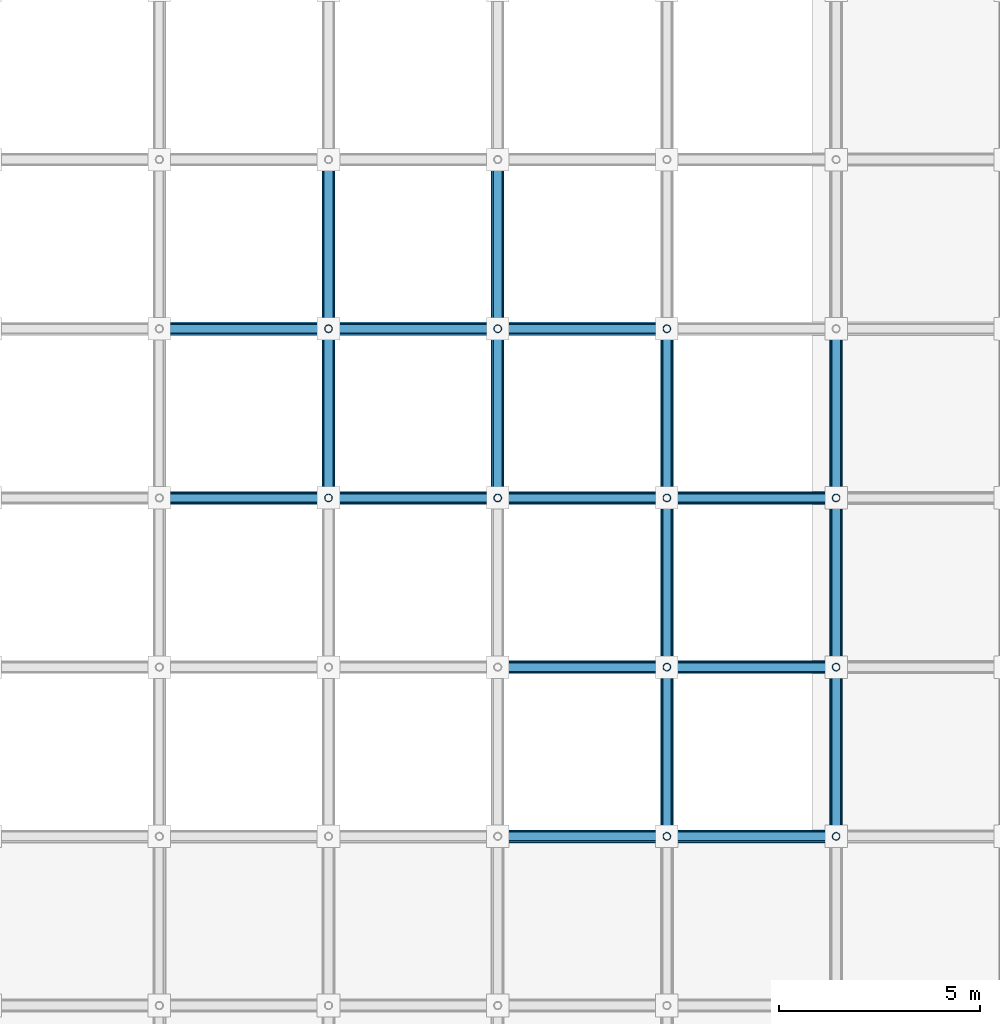
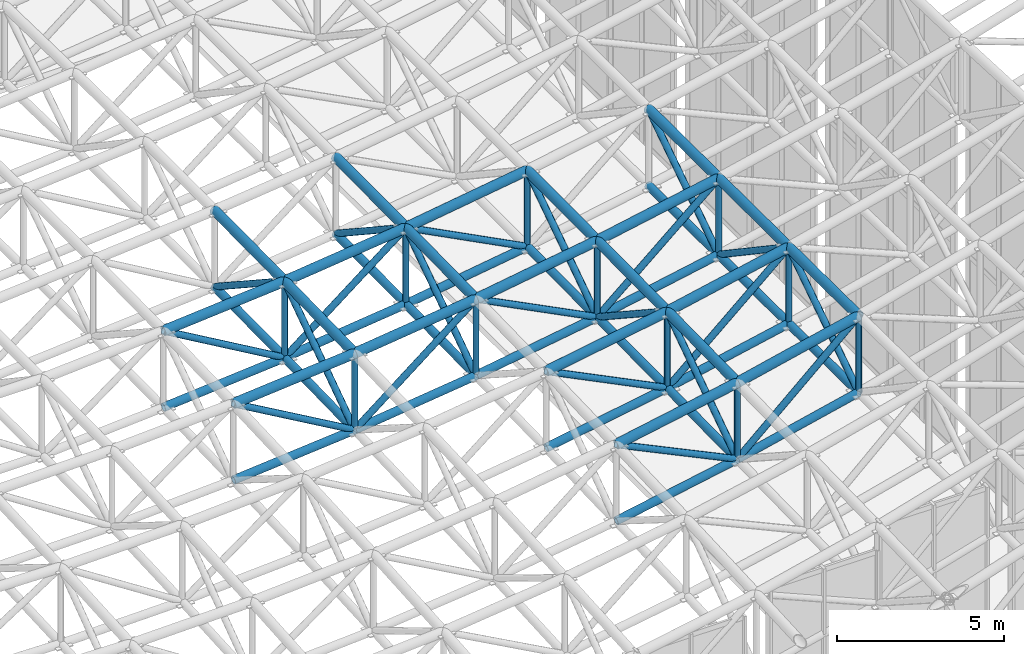
# One storey, part 20 of 93: 74 members.
"""IFC4 building model written with IfcOpenShell, lengths in metres."""

import ifcopenshell
import ifcopenshell.guid

model = None  # the IFC model being written
_history = None  # IfcOwnerHistory: only IFC2X3 demands one
_inside = {}  # id of a spatial element -> (the spatial element, [elements in it])
_under = {}  # id of a project, library or spatial element -> (it, [spatial elements below it])
_declared = {}  # id of a project -> (the project, [libraries it declares])
_typed = {}  # id of a type object -> (the type object, [elements of that type])
_made_of = {}  # id of a material, layer set ... -> (it, [elements and type objects made of it])


def new_model(schema):
    """Start an empty IFC model of exactly this schema.

    Asked for "IFC4X3", IfcOpenShell would pick the latest addendum, in which some entities
    have other attributes; the version numbers below select the first issue.
    IFC2X3 requires an IfcOwnerHistory on every rooted entity: one is made here for all.
    """
    global model, _history
    if schema == "IFC4X3":
        model = ifcopenshell.file(schema_version=(4, 3, 0, 0))
    else:
        model = ifcopenshell.file(schema=schema)
    _inside.clear()
    _under.clear()
    _declared.clear()
    _typed.clear()
    _made_of.clear()
    _history = None
    if model.schema == "IFC2X3":
        org = make("IfcOrganization", Name="unknown")
        user = make(
            "IfcPersonAndOrganization",
            ThePerson=make("IfcPerson", FamilyName="unknown"),
            TheOrganization=org,
        )
        app = make(
            "IfcApplication",
            ApplicationDeveloper=org,
            Version="unknown",
            ApplicationFullName="unknown",
            ApplicationIdentifier="unknown",
        )
        _history = make(
            "IfcOwnerHistory",
            OwningUser=user,
            OwningApplication=app,
            ChangeAction="ADDED",
            CreationDate=0,
        )
    return model


def make(cls, **values):
    """One entity of the class cls with the attributes given. An attribute that is None is left unset."""
    return model.create_entity(
        cls, **{name: value for name, value in values.items() if value is not None}
    )


def rooted(cls, **values):
    """An entity with a GlobalId (a new one), such as an element, a storey or a relation."""
    return make(cls, GlobalId=ifcopenshell.guid.new(), OwnerHistory=_history, **values)


def si_unit(unit_type, name, prefix=None):
    """IfcSIUnit, for example si_unit("LENGTHUNIT", "METRE", prefix="MILLI")."""
    return make("IfcSIUnit", UnitType=unit_type, Prefix=prefix, Name=name)


def assignment(units):
    """IfcUnitAssignment: the units of a project."""
    return None if units is None else make("IfcUnitAssignment", Units=units)


def point(xyz):
    """IfcCartesianPoint."""
    return None if xyz is None else make("IfcCartesianPoint", Coordinates=xyz)


def direction(xyz):
    """IfcDirection."""
    return None if xyz is None else make("IfcDirection", DirectionRatios=xyz)


def frame(location, z_axis=None, x_axis=None):
    """IfcAxis2Placement3D, a coordinate frame: its origin and axes. An axis left out is left unset."""
    return make(
        "IfcAxis2Placement3D",
        Location=point(location),
        Axis=direction(z_axis),
        RefDirection=direction(x_axis),
    )


def frame_2d(location, x_axis=None):
    """IfcAxis2Placement2D, a coordinate frame in the plane: its origin and x axis."""
    return make(
        "IfcAxis2Placement2D", Location=point(location), RefDirection=direction(x_axis)
    )


def origin():
    """The frame at (0, 0, 0) with its axes left unset."""
    return frame((0.0, 0.0, 0.0))


def origin_2d():
    """The frame at (0, 0) in the plane with its x axis left unset."""
    return frame_2d((0.0, 0.0))


def place(relative_to, where):
    """IfcLocalPlacement: puts the frame where relative to a parent placement (None: the world)."""
    return make(
        "IfcLocalPlacement", PlacementRelTo=relative_to, RelativePlacement=where
    )


def context(
    kind, dimensions, precision=None, world=None, true_north=None, identifier=None
):
    """IfcGeometricRepresentationContext, for example the 3D "Model" context."""
    return make(
        "IfcGeometricRepresentationContext",
        ContextIdentifier=identifier,
        ContextType=kind,
        CoordinateSpaceDimension=dimensions,
        Precision=precision,
        WorldCoordinateSystem=world,
        TrueNorth=true_north,
    )


def subcontext(parent, identifier, kind, view, scale=None):
    """IfcGeometricRepresentationSubContext, for example "Body" below "Model"."""
    return make(
        "IfcGeometricRepresentationSubContext",
        ContextIdentifier=identifier,
        ContextType=kind,
        ParentContext=parent,
        TargetScale=scale,
        TargetView=view,
    )


def project(units=None, contexts=None):
    """IfcProject with its units and contexts."""
    return rooted(
        "IfcProject",
        Name="project",
        RepresentationContexts=contexts,
        UnitsInContext=assignment(units),
    )


def spatial(cls, under=None, at=None, **own):
    """A site, building, storey or space (cls), placed at a placement, below another one or the project."""
    s = rooted(cls, ObjectPlacement=at, **own)
    if under is not None:
        _under.setdefault(under.id(), (under, []))[1].append(s)
    return s


def profile(cls, at=None, kind="AREA", **sizes):
    """A parametric profile (cls). Its sizes go by their IFC names, for example OverallWidth=200.0."""
    return make(cls, ProfileType=kind, Position=at, **sizes)


def hollow_circle(**sizes):
    """IfcCircleHollowProfileDef."""
    return profile("IfcCircleHollowProfileDef", **sizes)


def extrude(swept, where, along, depth):
    """IfcExtrudedAreaSolid: the profile swept, set in the frame where, extruded along a direction by depth."""
    return make(
        "IfcExtrudedAreaSolid",
        SweptArea=swept,
        Position=where,
        ExtrudedDirection=direction(along),
        Depth=depth,
    )


def shape(context_of_items, identifier, shape_type, items):
    """IfcShapeRepresentation: the items that make up one representation, for example the "Body"."""
    return make(
        "IfcShapeRepresentation",
        ContextOfItems=context_of_items,
        RepresentationIdentifier=identifier,
        RepresentationType=shape_type,
        Items=items,
    )


def material(Name=None, Category=None):
    """IfcMaterial."""
    return make("IfcMaterial", Name=Name, Category=Category)


def material_profile(
    of_material, cross_section, Name=None, Category=None, Priority=None
):
    """IfcMaterialProfile: a cross section and its material."""
    return make(
        "IfcMaterialProfile",
        Name=Name,
        Material=of_material,
        Profile=cross_section,
        Priority=Priority,
        Category=Category,
    )


def profile_set(profiles, Name=None, composite=None):
    """IfcMaterialProfileSet."""
    return make(
        "IfcMaterialProfileSet",
        Name=Name,
        MaterialProfiles=profiles,
        CompositeProfile=composite,
    )


def made_of(thing, what):
    """Note that an element or type object is made of a material, layer set ...; save() writes the relation."""
    if what is not None:
        _made_of.setdefault(what.id(), (what, []))[1].append(thing)
    return thing


def type_object(cls, material=None, **own):
    """A type object (cls), such as IfcWallType, which elements share."""
    return made_of(rooted(cls, **own), material)


def element(
    cls,
    number,
    at=None,
    inside=None,
    cuts=None,
    type_object=None,
    material=None,
    context=None,
    identifier="Body",
    shape_type=None,
    held_by="IfcProductDefinitionShape",
    body=None,
    shapes=None,
    **own,
):
    """One element of the class cls, such as IfcWall. Its Tag is "e" and its number.

    at: its placement. inside: the storey or other place that contains it. cuts: it is an
    opening in that element (IfcRelVoidsElement). A single representation is given by context,
    identifier, shape_type and body (its items); several are given by shapes. held_by: the class
    of the entity that holds the representations. save() writes the other relations.
    """
    e = rooted(cls, Tag="e%d" % number, ObjectPlacement=at, **own)
    if body is not None:
        shapes = [shape(context, identifier, shape_type, body)]
    if shapes is not None:
        e.Representation = make(held_by, Representations=shapes)
    if inside is not None:
        _inside.setdefault(inside.id(), (inside, []))[1].append(e)
    if cuts is not None:
        rooted(
            "IfcRelVoidsElement", RelatingBuildingElement=cuts, RelatedOpeningElement=e
        )
    if type_object is not None:
        _typed.setdefault(type_object.id(), (type_object, []))[1].append(e)
    return made_of(e, material)


def aggregate(whole, parts):
    """IfcRelAggregates: a whole, such as a stair, and the parts it consists of."""
    return rooted("IfcRelAggregates", RelatingObject=whole, RelatedObjects=parts)


def save(model, path):
    """Write the relations noted so far, then the file.

    IfcRelAggregates (storeys below a building ...), IfcRelContainedInSpatialStructure (elements
    in a storey), IfcRelDefinesByType, IfcRelAssociatesMaterial and IfcRelDeclares: one each for
    every whole, place, type object, material and project.
    """
    for whole, parts in _under.values():
        aggregate(whole, parts)
    for where, things in _inside.values():
        rooted(
            "IfcRelContainedInSpatialStructure",
            RelatedElements=things,
            RelatingStructure=where,
        )
    for kind, things in _typed.values():
        rooted("IfcRelDefinesByType", RelatedObjects=things, RelatingType=kind)
    for what, things in _made_of.values():
        rooted("IfcRelAssociatesMaterial", RelatedObjects=things, RelatingMaterial=what)
    for by, libraries in _declared.values():
        rooted("IfcRelDeclares", RelatingContext=by, RelatedDefinitions=libraries)
    model.write(path)


model = new_model("IFC4")

# Units and contexts
model_context = context("Model", 3, precision=1e-05, world=origin(), true_north=direction((0.0, 1.0)))
body_context = subcontext(model_context, "Body", "Model", "MODEL_VIEW")
ifc_project = project(units=[si_unit("LENGTHUNIT", "METRE"), si_unit("AREAUNIT", "SQUARE_METRE"), si_unit("VOLUMEUNIT", "CUBIC_METRE"), si_unit("PLANEANGLEUNIT", "RADIAN"), si_unit("MASSUNIT", "GRAM", prefix="KILO")], contexts=[model_context])

# Site, building, storey
site_placement = place(None, origin())
site = spatial("IfcSite", under=ifc_project, at=site_placement, CompositionType="ELEMENT")
building_placement = place(site_placement, origin())
building = spatial("IfcBuilding", under=site, at=building_placement, Name="Cumbredor Promenade Congress Hotel", CompositionType="ELEMENT")
storey_placement = place(building_placement, frame((0.0, 0.0, 21.840087890625)))
storey = spatial("IfcBuildingStorey", under=building, at=storey_placement, Name="L06", CompositionType="ELEMENT", Elevation=21.840087890625)

# Members
ifc_material = material(Name="Steel ASTM A500 Grade C", Category="steel")
ifc_material_profile_1 = material_profile(ifc_material, hollow_circle(Radius=0.136474609375, WallThickness=0.01611328125, at=origin_2d()), Name="CHS 273.0x16")
ifc_profile_set_1 = profile_set([ifc_material_profile_1], Name="Steel ASTM A500 Grade C")
member_type_1 = type_object("IfcMemberType", Name="Plenary Roof Space Frame Bottom Chord", PredefinedType="CHORD", material=ifc_profile_set_1)
member_1_placement = place(storey_placement, frame((50.39990234375, 16.800048828125, 8.685546875), z_axis=(0.982400987656, 0.0, 0.186784098502), x_axis=(0.0, 1.0, 0.0)))
element("IfcMember", 1, at=member_1_placement, inside=storey, type_object=member_type_1, Name="Plenary Congress Hall X Bottom Chord 14.5", PredefinedType="CHORD", context=body_context, shape_type="SweptSolid", body=[
    extrude(hollow_circle(Radius=0.136474609375, WallThickness=0.01611328125, at=origin_2d()), origin(), (0.0, 0.0, 1.0), 4.275390625),
])
member_2_placement = place(storey_placement, frame((54.60009765625, 16.800048828125, 9.484130859375), z_axis=(0.974054198516, 0.0, 0.226314865516), x_axis=(0.0, 1.0, 0.0)))
element("IfcMember", 2, at=member_2_placement, inside=storey, type_object=member_type_1, Name="Plenary Congress Hall X Bottom Chord 15.5", PredefinedType="CHORD", context=body_context, shape_type="SweptSolid", body=[
    extrude(hollow_circle(Radius=0.136474609375, WallThickness=0.01611328125, at=origin_2d()), origin(), (0.0, 0.0, 1.0), 4.311767578125),
])
member_3_placement = place(storey_placement, frame((50.39990234375, 21.0, 8.819091796875), z_axis=(0.985471688827, 0.0, 0.169839778968), x_axis=(0.0, 1.0, 0.0)))
element("IfcMember", 3, at=member_3_placement, inside=storey, type_object=member_type_1, Name="Plenary Congress Hall X Bottom Chord 14.6", PredefinedType="CHORD", context=body_context, shape_type="SweptSolid", body=[
    extrude(hollow_circle(Radius=0.136474609375, WallThickness=0.01611328125, at=origin_2d()), origin(), (0.0, 0.0, 1.0), 4.26220703125),
])
member_4_placement = place(storey_placement, frame((54.60009765625, 21.0, 9.54296875), z_axis=(0.978511747539, 0.0, 0.206191076256), x_axis=(0.0, 1.0, 0.0)))
element("IfcMember", 4, at=member_4_placement, inside=storey, type_object=member_type_1, Name="Plenary Congress Hall X Bottom Chord 15.6", PredefinedType="CHORD", context=body_context, shape_type="SweptSolid", body=[
    extrude(hollow_circle(Radius=0.136474609375, WallThickness=0.01611328125, at=origin_2d()), origin(), (0.0, 0.0, 1.0), 4.292236328125),
])
member_5_placement = place(storey_placement, frame((42.0, 25.199951171875, 8.02880859375), z_axis=(0.996124331019, 0.0, 0.087956336617), x_axis=(0.0, 1.0, 0.0)))
element("IfcMember", 5, at=member_5_placement, inside=storey, type_object=member_type_1, Name="Plenary Congress Hall X Bottom Chord 12.7", PredefinedType="CHORD", context=body_context, shape_type="SweptSolid", body=[
    extrude(hollow_circle(Radius=0.136474609375, WallThickness=0.01611328125, at=origin_2d()), origin(), (0.0, 0.0, 1.0), 4.21630859375),
])
member_6_placement = place(storey_placement, frame((46.199951171875, 25.199951171875, 8.399658203125), z_axis=(0.992435931335, 0.0, 0.12276368435), x_axis=(0.0, 1.0, 0.0)))
element("IfcMember", 6, at=member_6_placement, inside=storey, type_object=member_type_1, Name="Plenary Congress Hall X Bottom Chord 13.7", PredefinedType="CHORD", context=body_context, shape_type="SweptSolid", body=[
    extrude(hollow_circle(Radius=0.136474609375, WallThickness=0.01611328125, at=origin_2d()), origin(), (0.0, 0.0, 1.0), 4.23193359375),
])
member_7_placement = place(storey_placement, frame((50.39990234375, 25.199951171875, 8.919189453125), z_axis=(0.987580306335, 0.0, 0.157115048735), x_axis=(0.0, 1.0, 0.0)))
element("IfcMember", 7, at=member_7_placement, inside=storey, type_object=member_type_1, Name="Plenary Congress Hall X Bottom Chord 14.7", PredefinedType="CHORD", context=body_context, shape_type="SweptSolid", body=[
    extrude(hollow_circle(Radius=0.136474609375, WallThickness=0.01611328125, at=origin_2d()), origin(), (0.0, 0.0, 1.0), 4.2529296875),
])
member_8_placement = place(storey_placement, frame((54.60009765625, 25.199951171875, 9.58740234375), z_axis=(0.981626376064, 0.0, 0.19081314896), x_axis=(0.0, 1.0, 0.0)))
element("IfcMember", 8, at=member_8_placement, inside=storey, type_object=member_type_1, Name="Plenary Congress Hall X Bottom Chord 15.7", PredefinedType="CHORD", context=body_context, shape_type="SweptSolid", body=[
    extrude(hollow_circle(Radius=0.136474609375, WallThickness=0.01611328125, at=origin_2d()), origin(), (0.0, 0.0, 1.0), 4.278564453125),
])
member_9_placement = place(storey_placement, frame((42.0, 29.39990234375, 8.14501953125), z_axis=(0.996534162961, 0.0, 0.083184506075), x_axis=(0.0, 1.0, 0.0)))
element("IfcMember", 9, at=member_9_placement, inside=storey, type_object=member_type_1, Name="Plenary Congress Hall X Bottom Chord 12.8", PredefinedType="CHORD", context=body_context, shape_type="SweptSolid", body=[
    extrude(hollow_circle(Radius=0.136474609375, WallThickness=0.01611328125, at=origin_2d()), origin(), (0.0, 0.0, 1.0), 4.214599609375),
])
member_10_placement = place(storey_placement, frame((46.199951171875, 29.39990234375, 8.49560546875), z_axis=(0.99325660269, 0.0, 0.115936712097), x_axis=(0.0, 1.0, 0.0)))
element("IfcMember", 10, at=member_10_placement, inside=storey, type_object=member_type_1, Name="Plenary Congress Hall X Bottom Chord 13.8", PredefinedType="CHORD", context=body_context, shape_type="SweptSolid", body=[
    extrude(hollow_circle(Radius=0.136474609375, WallThickness=0.01611328125, at=origin_2d()), origin(), (0.0, 0.0, 1.0), 4.228515625),
])
member_11_placement = place(storey_placement, frame((50.39990234375, 29.39990234375, 8.98583984375), z_axis=(0.988907664036, 0.0, 0.148531585903), x_axis=(0.0, 1.0, 0.0)))
element("IfcMember", 11, at=member_11_placement, inside=storey, type_object=member_type_1, Name="Plenary Congress Hall X Bottom Chord 14.8", PredefinedType="CHORD", context=body_context, shape_type="SweptSolid", body=[
    extrude(hollow_circle(Radius=0.136474609375, WallThickness=0.01611328125, at=origin_2d()), origin(), (0.0, 0.0, 1.0), 4.247314453125),
])
member_12_placement = place(storey_placement, frame((46.199951171875, 25.199951171875, 8.399658203125), z_axis=(0.0, 0.999739158447, 0.022838893755), x_axis=(-1.0, 0.0, 0.0)))
element("IfcMember", 12, at=member_12_placement, inside=storey, type_object=member_type_1, Name="Plenary Congress Hall Y Bottom Chord 13.7", PredefinedType="CHORD", context=body_context, shape_type="SweptSolid", body=[
    extrude(hollow_circle(Radius=0.136474609375, WallThickness=0.01611328125, at=origin_2d()), origin(), (0.0, 0.0, 1.0), 4.200927734375),
])
for number, where, z_axis, x_axis, name in (
    (13, (46.199951171875, 29.39990234375, 8.49560546875), (0.0, 0.999935109517, 0.011391960094), (-1.0, 0.0, 0.0), "Plenary Congress Hall Y Bottom Chord 13.8"),
    (14, (50.39990234375, 25.199951171875, 8.919189453125), (0.0, 0.999874106038, 0.015867327265), (-1.0, 0.0, 0.0), "Plenary Congress Hall Y Bottom Chord 14.7"),
    (15, (50.39990234375, 29.39990234375, 8.98583984375), (0.0, 0.999967830201, 0.008021132328), (-1.0, 0.0, 0.0), "Plenary Congress Hall Y Bottom Chord 14.8"),
    (16, (54.60009765625, 16.800048828125, 9.484130859375), (0.0, 0.999901885817, 0.014007809945), (-1.0, 0.0, 0.0), "Plenary Congress Hall Y Bottom Chord 15.5"),
):
    element("IfcMember", number, at=place(storey_placement, frame(where, z_axis=z_axis, x_axis=x_axis)), inside=storey, type_object=member_type_1, Name=name, PredefinedType="CHORD", context=body_context, shape_type="SweptSolid", body=[
        extrude(hollow_circle(Radius=0.136474609375, WallThickness=0.01611328125, at=origin_2d()), origin(), (0.0, 0.0, 1.0), 4.200439453125),
    ])
member_13_placement = place(storey_placement, frame((54.60009765625, 21.0, 9.54296875), z_axis=(0.0, 0.999944041257, 0.01057895806), x_axis=(-1.0, 0.0, 0.0)))
element("IfcMember", 17, at=member_13_placement, inside=storey, type_object=member_type_1, Name="Plenary Congress Hall Y Bottom Chord 15.6", PredefinedType="CHORD", context=body_context, shape_type="SweptSolid", body=[
    extrude(hollow_circle(Radius=0.136474609375, WallThickness=0.01611328125, at=origin_2d()), origin(), (0.0, 0.0, 1.0), 4.2001953125),
])
for number, where, z_axis, x_axis, name in (
    (18, (54.60009765625, 25.199951171875, 9.58740234375), (0.0, 0.999975671896, 0.006975357823), (-1.0, 0.0, 0.0), "Plenary Congress Hall Y Bottom Chord 15.7"),
    (19, (58.800048828125, 16.800048828125, 10.4599609375), (0.0, 0.999971007522, -0.007614730104), (-1.0, 0.0, 0.0), "Plenary Congress Hall Y Bottom Chord 16.5"),
    (20, (58.800048828125, 21.0, 10.427978515625), (0.0, 0.999983441491, -0.005754714916), (-1.0, 0.0, 0.0), "Plenary Congress Hall Y Bottom Chord 16.6"),
    (21, (58.800048828125, 25.199951171875, 10.40380859375), (0.0, 0.999992640561, -0.003836511904), (-1.0, 0.0, 0.0), "Plenary Congress Hall Y Bottom Chord 16.7"),
):
    element("IfcMember", number, at=place(storey_placement, frame(where, z_axis=z_axis, x_axis=x_axis)), inside=storey, type_object=member_type_1, Name=name, PredefinedType="CHORD", context=body_context, shape_type="SweptSolid", body=[
        extrude(hollow_circle(Radius=0.136474609375, WallThickness=0.01611328125, at=origin_2d()), origin(), (0.0, 0.0, 1.0), 4.199951171875),
    ])
ifc_material_profile_2 = material_profile(ifc_material, hollow_circle(Radius=0.161865234375, WallThickness=0.01611328125, at=origin_2d()), Name="CHS 323.9x16")
ifc_profile_set_2 = profile_set([ifc_material_profile_2], Name="Steel ASTM A500 Grade C")
member_type_2 = type_object("IfcMemberType", Name="Plenary Roof Space Frame Top Chord", PredefinedType="CHORD", material=ifc_profile_set_2)
member_14_placement = place(storey_placement, frame((50.39990234375, 16.800048828125, 11.485595703125), z_axis=(0.982400987656, 0.0, 0.186784098502), x_axis=(0.0, 1.0, 0.0)))
element("IfcMember", 22, at=member_14_placement, inside=storey, type_object=member_type_2, Name="Plenary Congress Hall X Top Chord 14.5", PredefinedType="CHORD", context=body_context, shape_type="SweptSolid", body=[
    extrude(hollow_circle(Radius=0.161865234375, WallThickness=0.01611328125, at=origin_2d()), origin(), (0.0, 0.0, 1.0), 4.275390625),
])
member_15_placement = place(storey_placement, frame((54.60009765625, 16.800048828125, 12.2841796875), z_axis=(0.974054198516, 0.0, 0.226314865516), x_axis=(0.0, 1.0, 0.0)))
element("IfcMember", 23, at=member_15_placement, inside=storey, type_object=member_type_2, Name="Plenary Congress Hall X Top Chord 15.5", PredefinedType="CHORD", context=body_context, shape_type="SweptSolid", body=[
    extrude(hollow_circle(Radius=0.161865234375, WallThickness=0.01611328125, at=origin_2d()), origin(), (0.0, 0.0, 1.0), 4.311767578125),
])
member_16_placement = place(storey_placement, frame((50.39990234375, 21.0, 11.619140625), z_axis=(0.985471688827, 0.0, 0.169839778968), x_axis=(0.0, 1.0, 0.0)))
element("IfcMember", 24, at=member_16_placement, inside=storey, type_object=member_type_2, Name="Plenary Congress Hall X Top Chord 14.6", PredefinedType="CHORD", context=body_context, shape_type="SweptSolid", body=[
    extrude(hollow_circle(Radius=0.161865234375, WallThickness=0.01611328125, at=origin_2d()), origin(), (0.0, 0.0, 1.0), 4.26220703125),
])
member_17_placement = place(storey_placement, frame((54.60009765625, 21.0, 12.343017578125), z_axis=(0.978511747539, 0.0, 0.206191076256), x_axis=(0.0, 1.0, 0.0)))
element("IfcMember", 25, at=member_17_placement, inside=storey, type_object=member_type_2, Name="Plenary Congress Hall X Top Chord 15.6", PredefinedType="CHORD", context=body_context, shape_type="SweptSolid", body=[
    extrude(hollow_circle(Radius=0.161865234375, WallThickness=0.01611328125, at=origin_2d()), origin(), (0.0, 0.0, 1.0), 4.292236328125),
])
member_18_placement = place(storey_placement, frame((42.0, 25.199951171875, 10.82861328125), z_axis=(0.996119256094, 0.0, 0.088013792319), x_axis=(0.0, 1.0, 0.0)))
element("IfcMember", 26, at=member_18_placement, inside=storey, type_object=member_type_2, Name="Plenary Congress Hall X Top Chord 12.7", PredefinedType="CHORD", context=body_context, shape_type="SweptSolid", body=[
    extrude(hollow_circle(Radius=0.161865234375, WallThickness=0.01611328125, at=origin_2d()), origin(), (0.0, 0.0, 1.0), 4.21630859375),
])
member_19_placement = place(storey_placement, frame((46.199951171875, 25.199951171875, 11.19970703125), z_axis=(0.992442958388, 0.0, 0.122706863483), x_axis=(0.0, 1.0, 0.0)))
element("IfcMember", 27, at=member_19_placement, inside=storey, type_object=member_type_2, Name="Plenary Congress Hall X Top Chord 13.7", PredefinedType="CHORD", context=body_context, shape_type="SweptSolid", body=[
    extrude(hollow_circle(Radius=0.161865234375, WallThickness=0.01611328125, at=origin_2d()), origin(), (0.0, 0.0, 1.0), 4.23193359375),
])
member_20_placement = place(storey_placement, frame((50.39990234375, 25.199951171875, 11.718994140625), z_axis=(0.987580306335, 0.0, 0.157115048735), x_axis=(0.0, 1.0, 0.0)))
element("IfcMember", 28, at=member_20_placement, inside=storey, type_object=member_type_2, Name="Plenary Congress Hall X Top Chord 14.7", PredefinedType="CHORD", context=body_context, shape_type="SweptSolid", body=[
    extrude(hollow_circle(Radius=0.161865234375, WallThickness=0.01611328125, at=origin_2d()), origin(), (0.0, 0.0, 1.0), 4.2529296875),
])
member_21_placement = place(storey_placement, frame((54.60009765625, 25.199951171875, 12.38720703125), z_axis=(0.981626376064, 0.0, 0.19081314896), x_axis=(0.0, 1.0, 0.0)))
element("IfcMember", 29, at=member_21_placement, inside=storey, type_object=member_type_2, Name="Plenary Congress Hall X Top Chord 15.7", PredefinedType="CHORD", context=body_context, shape_type="SweptSolid", body=[
    extrude(hollow_circle(Radius=0.161865234375, WallThickness=0.01611328125, at=origin_2d()), origin(), (0.0, 0.0, 1.0), 4.278564453125),
])
member_22_placement = place(storey_placement, frame((42.0, 29.39990234375, 10.945068359375), z_axis=(0.996538963329, 0.0, 0.083126978572), x_axis=(0.0, 1.0, 0.0)))
element("IfcMember", 30, at=member_22_placement, inside=storey, type_object=member_type_2, Name="Plenary Congress Hall X Top Chord 12.8", PredefinedType="CHORD", context=body_context, shape_type="SweptSolid", body=[
    extrude(hollow_circle(Radius=0.161865234375, WallThickness=0.01611328125, at=origin_2d()), origin(), (0.0, 0.0, 1.0), 4.214599609375),
])
member_23_placement = place(storey_placement, frame((46.199951171875, 29.39990234375, 11.29541015625), z_axis=(0.993249952356, 0.0, 0.115993672864), x_axis=(0.0, 1.0, 0.0)))
element("IfcMember", 31, at=member_23_placement, inside=storey, type_object=member_type_2, Name="Plenary Congress Hall X Top Chord 13.8", PredefinedType="CHORD", context=body_context, shape_type="SweptSolid", body=[
    extrude(hollow_circle(Radius=0.161865234375, WallThickness=0.01611328125, at=origin_2d()), origin(), (0.0, 0.0, 1.0), 4.228515625),
])
member_24_placement = place(storey_placement, frame((50.39990234375, 29.39990234375, 11.785888671875), z_axis=(0.98891610559, 0.0, 0.148475372049), x_axis=(0.0, 1.0, 0.0)))
element("IfcMember", 32, at=member_24_placement, inside=storey, type_object=member_type_2, Name="Plenary Congress Hall X Top Chord 14.8", PredefinedType="CHORD", context=body_context, shape_type="SweptSolid", body=[
    extrude(hollow_circle(Radius=0.161865234375, WallThickness=0.01611328125, at=origin_2d()), origin(), (0.0, 0.0, 1.0), 4.247314453125),
])
member_25_placement = place(storey_placement, frame((46.199951171875, 25.199951171875, 11.19970703125), z_axis=(0.0, 0.99974048368, 0.022780809719), x_axis=(-1.0, 0.0, 0.0)))
element("IfcMember", 33, at=member_25_placement, inside=storey, type_object=member_type_2, Name="Plenary Congress Hall Y Top Chord 13.7", PredefinedType="CHORD", context=body_context, shape_type="SweptSolid", body=[
    extrude(hollow_circle(Radius=0.161865234375, WallThickness=0.01611328125, at=origin_2d()), origin(), (0.0, 0.0, 1.0), 4.200927734375),
])
for number, where, z_axis, x_axis, name in (
    (34, (46.199951171875, 29.39990234375, 11.29541015625), (0.0, 0.999934445746, 0.011450074739), (-1.0, 0.0, 0.0), "Plenary Congress Hall Y Top Chord 13.8"),
    (35, (50.39990234375, 25.199951171875, 11.718994140625), (0.0, 0.999873182225, 0.015925434629), (-1.0, 0.0, 0.0), "Plenary Congress Hall Y Top Chord 14.7"),
    (36, (50.39990234375, 29.39990234375, 11.785888671875), (0.0, 0.999967830201, 0.008021132328), (-1.0, 0.0, 0.0), "Plenary Congress Hall Y Top Chord 14.8"),
    (37, (54.60009765625, 16.800048828125, 12.2841796875), (0.0, 0.999901885817, 0.014007809945), (-1.0, 0.0, 0.0), "Plenary Congress Hall Y Top Chord 15.5"),
):
    element("IfcMember", number, at=place(storey_placement, frame(where, z_axis=z_axis, x_axis=x_axis)), inside=storey, type_object=member_type_2, Name=name, PredefinedType="CHORD", context=body_context, shape_type="SweptSolid", body=[
        extrude(hollow_circle(Radius=0.161865234375, WallThickness=0.01611328125, at=origin_2d()), origin(), (0.0, 0.0, 1.0), 4.200439453125),
    ])
member_26_placement = place(storey_placement, frame((54.60009765625, 21.0, 12.343017578125), z_axis=(0.0, 0.999944654448, 0.010520838369), x_axis=(-1.0, 0.0, 0.0)))
element("IfcMember", 38, at=member_26_placement, inside=storey, type_object=member_type_2, Name="Plenary Congress Hall Y Top Chord 15.6", PredefinedType="CHORD", context=body_context, shape_type="SweptSolid", body=[
    extrude(hollow_circle(Radius=0.161865234375, WallThickness=0.01611328125, at=origin_2d()), origin(), (0.0, 0.0, 1.0), 4.2001953125),
])
for number, where, z_axis, x_axis, name in (
    (39, (54.60009765625, 25.199951171875, 12.38720703125), (0.0, 0.999975671896, 0.006975357823), (-1.0, 0.0, 0.0), "Plenary Congress Hall Y Top Chord 15.7"),
    (40, (58.800048828125, 16.800048828125, 13.260009765625), (0.0, 0.999971007522, -0.007614730104), (-1.0, 0.0, 0.0), "Plenary Congress Hall Y Top Chord 16.5"),
    (41, (58.800048828125, 21.0, 13.22802734375), (0.0, 0.999983105295, -0.005812841396), (-1.0, 0.0, 0.0), "Plenary Congress Hall Y Top Chord 16.6"),
    (42, (58.800048828125, 25.199951171875, 13.20361328125), (0.0, 0.999992640561, -0.003836511904), (-1.0, 0.0, 0.0), "Plenary Congress Hall Y Top Chord 16.7"),
):
    element("IfcMember", number, at=place(storey_placement, frame(where, z_axis=z_axis, x_axis=x_axis)), inside=storey, type_object=member_type_2, Name=name, PredefinedType="CHORD", context=body_context, shape_type="SweptSolid", body=[
        extrude(hollow_circle(Radius=0.161865234375, WallThickness=0.01611328125, at=origin_2d()), origin(), (0.0, 0.0, 1.0), 4.199951171875),
    ])
ifc_material_profile_3 = material_profile(ifc_material, hollow_circle(Radius=0.109619140625, WallThickness=0.012451171875, at=origin_2d()), Name="CHS 219.1x12.5")
ifc_profile_set_3 = profile_set([ifc_material_profile_3], Name="Steel ASTM A500 Grade C")
member_type_3 = type_object("IfcMemberType", Name="Space Frame Web Diagonal D1", PredefinedType="BRACE", material=ifc_profile_set_3)
member_27_placement = place(storey_placement, frame((50.39990234375, 16.800048828125, 11.485595703125), z_axis=(0.902746035488, 0.0, -0.430173912982), x_axis=(0.0, 1.0, 0.0)))
element("IfcMember", 43, at=member_27_placement, inside=storey, type_object=member_type_3, Name="Plenary Congress Hall X Web Diagonal 14.5", PredefinedType="BRACE", context=body_context, shape_type="SweptSolid", body=[
    extrude(hollow_circle(Radius=0.109619140625, WallThickness=0.012451171875, at=origin_2d()), origin(), (0.0, 0.0, 1.0), 4.652587890625),
])
member_28_placement = place(storey_placement, frame((54.60009765625, 16.800048828125, 9.484130859375), z_axis=(0.743652999647, 0.0, 0.668565790417), x_axis=(0.0, 1.0, 0.0)))
element("IfcMember", 44, at=member_28_placement, inside=storey, type_object=member_type_3, Name="Plenary Congress Hall X Web Diagonal 15.5", PredefinedType="BRACE", context=body_context, shape_type="SweptSolid", body=[
    extrude(hollow_circle(Radius=0.109619140625, WallThickness=0.012451171875, at=origin_2d()), origin(), (0.0, 0.0, 1.0), 5.647705078125),
])
member_29_placement = place(storey_placement, frame((50.39990234375, 21.0, 11.619140625), z_axis=(0.896460482359, 0.0, -0.443123688792), x_axis=(0.0, 1.0, 0.0)))
element("IfcMember", 45, at=member_29_placement, inside=storey, type_object=member_type_3, Name="Plenary Congress Hall X Web Diagonal 14.6", PredefinedType="BRACE", context=body_context, shape_type="SweptSolid", body=[
    extrude(hollow_circle(Radius=0.109619140625, WallThickness=0.012451171875, at=origin_2d()), origin(), (0.0, 0.0, 1.0), 4.685302734375),
])
member_30_placement = place(storey_placement, frame((54.60009765625, 21.0, 9.54296875), z_axis=(0.751680063295, 0.0, 0.659527923931), x_axis=(0.0, 1.0, 0.0)))
element("IfcMember", 46, at=member_30_placement, inside=storey, type_object=member_type_3, Name="Plenary Congress Hall X Web Diagonal 15.6", PredefinedType="BRACE", context=body_context, shape_type="SweptSolid", body=[
    extrude(hollow_circle(Radius=0.109619140625, WallThickness=0.012451171875, at=origin_2d()), origin(), (0.0, 0.0, 1.0), 5.58740234375),
])
member_31_placement = place(storey_placement, frame((42.0, 25.199951171875, 10.82861328125), z_axis=(0.865658166697, 0.0, -0.500635534527), x_axis=(0.0, 1.0, 0.0)))
element("IfcMember", 47, at=member_31_placement, inside=storey, type_object=member_type_3, Name="Plenary Congress Hall X Web Diagonal 12.7", PredefinedType="BRACE", context=body_context, shape_type="SweptSolid", body=[
    extrude(hollow_circle(Radius=0.109619140625, WallThickness=0.012451171875, at=origin_2d()), origin(), (0.0, 0.0, 1.0), 4.851806640625),
])
member_32_placement = place(storey_placement, frame((46.199951171875, 25.199951171875, 8.399658203125), z_axis=(0.784556956827, 0.0, 0.620056756672), x_axis=(0.0, 1.0, 0.0)))
element("IfcMember", 48, at=member_32_placement, inside=storey, type_object=member_type_3, Name="Plenary Congress Hall X Web Diagonal 13.7", PredefinedType="BRACE", context=body_context, shape_type="SweptSolid", body=[
    extrude(hollow_circle(Radius=0.109619140625, WallThickness=0.012451171875, at=origin_2d()), origin(), (0.0, 0.0, 1.0), 5.353271484375),
])
member_33_placement = place(storey_placement, frame((50.39990234375, 25.199951171875, 11.718994140625), z_axis=(0.891736607498, 0.0, -0.452554773312), x_axis=(0.0, 1.0, 0.0)))
element("IfcMember", 49, at=member_33_placement, inside=storey, type_object=member_type_3, Name="Plenary Congress Hall X Web Diagonal 14.7", PredefinedType="BRACE", context=body_context, shape_type="SweptSolid", body=[
    extrude(hollow_circle(Radius=0.109619140625, WallThickness=0.012451171875, at=origin_2d()), origin(), (0.0, 0.0, 1.0), 4.710205078125),
])
member_34_placement = place(storey_placement, frame((54.60009765625, 25.199951171875, 9.58740234375), z_axis=(0.757805708558, 0.0, 0.65248027409), x_axis=(0.0, 1.0, 0.0)))
element("IfcMember", 50, at=member_34_placement, inside=storey, type_object=member_type_3, Name="Plenary Congress Hall X Web Diagonal 15.7", PredefinedType="BRACE", context=body_context, shape_type="SweptSolid", body=[
    extrude(hollow_circle(Radius=0.109619140625, WallThickness=0.012451171875, at=origin_2d()), origin(), (0.0, 0.0, 1.0), 5.542236328125),
])
member_35_placement = place(storey_placement, frame((42.0, 29.39990234375, 10.945068359375), z_axis=(0.863824427831, 0.0, -0.503792971251), x_axis=(0.0, 1.0, 0.0)))
element("IfcMember", 51, at=member_35_placement, inside=storey, type_object=member_type_3, Name="Plenary Congress Hall X Web Diagonal 12.8", PredefinedType="BRACE", context=body_context, shape_type="SweptSolid", body=[
    extrude(hollow_circle(Radius=0.109619140625, WallThickness=0.012451171875, at=origin_2d()), origin(), (0.0, 0.0, 1.0), 4.862060546875),
])
member_36_placement = place(storey_placement, frame((46.199951171875, 29.39990234375, 8.49560546875), z_axis=(0.787198804129, 0.0, 0.616699313099), x_axis=(0.0, 1.0, 0.0)))
element("IfcMember", 52, at=member_36_placement, inside=storey, type_object=member_type_3, Name="Plenary Congress Hall X Web Diagonal 13.8", PredefinedType="BRACE", context=body_context, shape_type="SweptSolid", body=[
    extrude(hollow_circle(Radius=0.109619140625, WallThickness=0.012451171875, at=origin_2d()), origin(), (0.0, 0.0, 1.0), 5.335205078125),
])
member_37_placement = place(storey_placement, frame((50.39990234375, 29.39990234375, 11.785888671875), z_axis=(0.888504522297, 0.0, -0.458867860998), x_axis=(0.0, 1.0, 0.0)))
element("IfcMember", 53, at=member_37_placement, inside=storey, type_object=member_type_3, Name="Plenary Congress Hall X Web Diagonal 14.8", PredefinedType="BRACE", context=body_context, shape_type="SweptSolid", body=[
    extrude(hollow_circle(Radius=0.109619140625, WallThickness=0.012451171875, at=origin_2d()), origin(), (0.0, 0.0, 1.0), 4.727294921875),
])
member_38_placement = place(storey_placement, frame((46.199951171875, 25.199951171875, 8.399658203125), z_axis=(0.0, 0.823282964664, 0.567631183159), x_axis=(-1.0, 0.0, 0.0)))
element("IfcMember", 54, at=member_38_placement, inside=storey, type_object=member_type_3, Name="Plenary Congress Hall Y Web Diagonal 13.7", PredefinedType="BRACE", context=body_context, shape_type="SweptSolid", body=[
    extrude(hollow_circle(Radius=0.109619140625, WallThickness=0.012451171875, at=origin_2d()), origin(), (0.0, 0.0, 1.0), 5.1015625),
])
member_39_placement = place(storey_placement, frame((46.199951171875, 29.39990234375, 11.29541015625), z_axis=(0.0, 0.836451907104, -0.548040333462), x_axis=(-1.0, 0.0, 0.0)))
element("IfcMember", 55, at=member_39_placement, inside=storey, type_object=member_type_3, Name="Plenary Congress Hall Y Web Diagonal 13.8", PredefinedType="BRACE", context=body_context, shape_type="SweptSolid", body=[
    extrude(hollow_circle(Radius=0.109619140625, WallThickness=0.012451171875, at=origin_2d()), origin(), (0.0, 0.0, 1.0), 5.021484375),
])
member_40_placement = place(storey_placement, frame((50.39990234375, 25.199951171875, 8.919189453125), z_axis=(0.0, 0.825943841056, 0.563752402586), x_axis=(-1.0, 0.0, 0.0)))
element("IfcMember", 56, at=member_40_placement, inside=storey, type_object=member_type_3, Name="Plenary Congress Hall Y Web Diagonal 14.7", PredefinedType="BRACE", context=body_context, shape_type="SweptSolid", body=[
    extrude(hollow_circle(Radius=0.109619140625, WallThickness=0.012451171875, at=origin_2d()), origin(), (0.0, 0.0, 1.0), 5.0849609375),
])
member_41_placement = place(storey_placement, frame((50.39990234375, 29.39990234375, 11.785888671875), z_axis=(0.0, 0.835136600991, -0.550042596247), x_axis=(-1.0, 0.0, 0.0)))
element("IfcMember", 57, at=member_41_placement, inside=storey, type_object=member_type_3, Name="Plenary Congress Hall Y Web Diagonal 14.8", PredefinedType="BRACE", context=body_context, shape_type="SweptSolid", body=[
    extrude(hollow_circle(Radius=0.109619140625, WallThickness=0.012451171875, at=origin_2d()), origin(), (0.0, 0.0, 1.0), 5.029296875),
])
member_42_placement = place(storey_placement, frame((54.60009765625, 16.800048828125, 9.484130859375), z_axis=(0.0, 0.826659171915, 0.562702953155), x_axis=(-1.0, 0.0, 0.0)))
element("IfcMember", 58, at=member_42_placement, inside=storey, type_object=member_type_3, Name="Plenary Congress Hall Y Web Diagonal 15.5", PredefinedType="BRACE", context=body_context, shape_type="SweptSolid", body=[
    extrude(hollow_circle(Radius=0.109619140625, WallThickness=0.012451171875, at=origin_2d()), origin(), (0.0, 0.0, 1.0), 5.08056640625),
])
member_43_placement = place(storey_placement, frame((54.60009765625, 21.0, 12.343017578125), z_axis=(0.0, 0.836102944844, -0.548572570973), x_axis=(-1.0, 0.0, 0.0)))
element("IfcMember", 59, at=member_43_placement, inside=storey, type_object=member_type_3, Name="Plenary Congress Hall Y Web Diagonal 15.6", PredefinedType="BRACE", context=body_context, shape_type="SweptSolid", body=[
    extrude(hollow_circle(Radius=0.109619140625, WallThickness=0.012451171875, at=origin_2d()), origin(), (0.0, 0.0, 1.0), 5.023193359375),
])
member_44_placement = place(storey_placement, frame((54.60009765625, 25.199951171875, 9.58740234375), z_axis=(0.0, 0.829385410304, 0.558676866512), x_axis=(-1.0, 0.0, 0.0)))
element("IfcMember", 60, at=member_44_placement, inside=storey, type_object=member_type_3, Name="Plenary Congress Hall Y Web Diagonal 15.7", PredefinedType="BRACE", context=body_context, shape_type="SweptSolid", body=[
    extrude(hollow_circle(Radius=0.109619140625, WallThickness=0.012451171875, at=origin_2d()), origin(), (0.0, 0.0, 1.0), 5.06396484375),
])
member_45_placement = place(storey_placement, frame((58.800048828125, 16.800048828125, 10.4599609375), z_axis=(0.0, 0.834965807413, 0.550301826684), x_axis=(-1.0, 0.0, 0.0)))
element("IfcMember", 61, at=member_45_placement, inside=storey, type_object=member_type_3, Name="Plenary Congress Hall Y Web Diagonal 16.5", PredefinedType="BRACE", context=body_context, shape_type="SweptSolid", body=[
    extrude(hollow_circle(Radius=0.109619140625, WallThickness=0.012451171875, at=origin_2d()), origin(), (0.0, 0.0, 1.0), 5.030029296875),
])
member_46_placement = place(storey_placement, frame((58.800048828125, 21.0, 13.22802734375), z_axis=(0.0, 0.829832171181, -0.558013053318), x_axis=(-1.0, 0.0, 0.0)))
element("IfcMember", 62, at=member_46_placement, inside=storey, type_object=member_type_3, Name="Plenary Congress Hall Y Web Diagonal 16.6", PredefinedType="BRACE", context=body_context, shape_type="SweptSolid", body=[
    extrude(hollow_circle(Radius=0.109619140625, WallThickness=0.012451171875, at=origin_2d()), origin(), (0.0, 0.0, 1.0), 5.061279296875),
])
member_47_placement = place(storey_placement, frame((58.800048828125, 25.199951171875, 10.40380859375), z_axis=(0.0, 0.833538152768, 0.552461897219), x_axis=(-1.0, 0.0, 0.0)))
element("IfcMember", 63, at=member_47_placement, inside=storey, type_object=member_type_3, Name="Plenary Congress Hall Y Web Diagonal 16.7", PredefinedType="BRACE", context=body_context, shape_type="SweptSolid", body=[
    extrude(hollow_circle(Radius=0.109619140625, WallThickness=0.012451171875, at=origin_2d()), origin(), (0.0, 0.0, 1.0), 5.038818359375),
])
ifc_material_profile_4 = material_profile(ifc_material, hollow_circle(Radius=0.096923828125, WallThickness=0.010009765625, at=origin_2d()), Name="CHS 193.7x10")
ifc_profile_set_4 = profile_set([ifc_material_profile_4], Name="Steel ASTM A500 Grade C")
member_type_4 = type_object("IfcMemberType", Name="Space Frame Web Post P1", PredefinedType="BRACE", material=ifc_profile_set_4)
member_48_placement = place(storey_placement, frame((46.199951171875, 25.199951171875, 8.399658203125), z_axis=(0.0, 0.0, 1.0), x_axis=(1.0, 0.0, 0.0)))
element("IfcMember", 64, at=member_48_placement, inside=storey, type_object=member_type_4, Name="Plenary Congress Hall Space Frame Web Post 13.7", PredefinedType="BRACE", context=body_context, shape_type="SweptSolid", body=[
    extrude(hollow_circle(Radius=0.096923828125, WallThickness=0.010009765625, at=origin_2d()), origin(), (0.0, 0.0, 1.0), 2.800048828125),
])
for number, where, z_axis, x_axis, name in (
    (65, (46.199951171875, 29.39990234375, 8.49560546875), (0.0, 0.0, 1.0), (1.0, 0.0, 0.0), "Plenary Congress Hall Space Frame Web Post 13.8"),
    (66, (50.39990234375, 25.199951171875, 8.919189453125), (0.0, 0.0, 1.0), (1.0, 0.0, 0.0), "Plenary Congress Hall Space Frame Web Post 14.7"),
):
    element("IfcMember", number, at=place(storey_placement, frame(where, z_axis=z_axis, x_axis=x_axis)), inside=storey, type_object=member_type_4, Name=name, PredefinedType="BRACE", context=body_context, shape_type="SweptSolid", body=[
        extrude(hollow_circle(Radius=0.096923828125, WallThickness=0.010009765625, at=origin_2d()), origin(), (0.0, 0.0, 1.0), 2.7998046875),
    ])
for number, where, z_axis, x_axis, name in (
    (67, (50.39990234375, 29.39990234375, 8.98583984375), (0.0, 0.0, 1.0), (1.0, 0.0, 0.0), "Plenary Congress Hall Space Frame Web Post 14.8"),
    (68, (54.60009765625, 16.800048828125, 9.484130859375), (0.0, 0.0, 1.0), (1.0, 0.0, 0.0), "Plenary Congress Hall Space Frame Web Post 15.5"),
    (69, (54.60009765625, 21.0, 9.54296875), (0.0, 0.0, 1.0), (1.0, 0.0, 0.0), "Plenary Congress Hall Space Frame Web Post 15.6"),
):
    element("IfcMember", number, at=place(storey_placement, frame(where, z_axis=z_axis, x_axis=x_axis)), inside=storey, type_object=member_type_4, Name=name, PredefinedType="BRACE", context=body_context, shape_type="SweptSolid", body=[
        extrude(hollow_circle(Radius=0.096923828125, WallThickness=0.010009765625, at=origin_2d()), origin(), (0.0, 0.0, 1.0), 2.800048828125),
    ])
for number, where, z_axis, x_axis, name in (
    (70, (54.60009765625, 25.199951171875, 9.58740234375), (0.0, 0.0, 1.0), (1.0, 0.0, 0.0), "Plenary Congress Hall Space Frame Web Post 15.7"),
    (71, (54.60009765625, 29.39990234375, 9.61669921875), (0.0, 0.0, 1.0), (1.0, 0.0, 0.0), "Plenary Congress Hall Space Frame Web Post 15.8"),
):
    element("IfcMember", number, at=place(storey_placement, frame(where, z_axis=z_axis, x_axis=x_axis)), inside=storey, type_object=member_type_4, Name=name, PredefinedType="BRACE", context=body_context, shape_type="SweptSolid", body=[
        extrude(hollow_circle(Radius=0.096923828125, WallThickness=0.010009765625, at=origin_2d()), origin(), (0.0, 0.0, 1.0), 2.7998046875),
    ])
for number, where, z_axis, x_axis, name in (
    (72, (58.800048828125, 16.800048828125, 10.4599609375), (0.0, 0.0, 1.0), (1.0, 0.0, 0.0), "Plenary Congress Hall Space Frame Web Post 16.5"),
    (73, (58.800048828125, 21.0, 10.427978515625), (0.0, 0.0, 1.0), (1.0, 0.0, 0.0), "Plenary Congress Hall Space Frame Web Post 16.6"),
):
    element("IfcMember", number, at=place(storey_placement, frame(where, z_axis=z_axis, x_axis=x_axis)), inside=storey, type_object=member_type_4, Name=name, PredefinedType="BRACE", context=body_context, shape_type="SweptSolid", body=[
        extrude(hollow_circle(Radius=0.096923828125, WallThickness=0.010009765625, at=origin_2d()), origin(), (0.0, 0.0, 1.0), 2.800048828125),
    ])
member_49_placement = place(storey_placement, frame((58.800048828125, 25.199951171875, 10.40380859375), z_axis=(0.0, 0.0, 1.0), x_axis=(1.0, 0.0, 0.0)))
element("IfcMember", 74, at=member_49_placement, inside=storey, type_object=member_type_4, Name="Plenary Congress Hall Space Frame Web Post 16.7", PredefinedType="BRACE", context=body_context, shape_type="SweptSolid", body=[
    extrude(hollow_circle(Radius=0.096923828125, WallThickness=0.010009765625, at=origin_2d()), origin(), (0.0, 0.0, 1.0), 2.7998046875),
])

save(model, "model.ifc")
